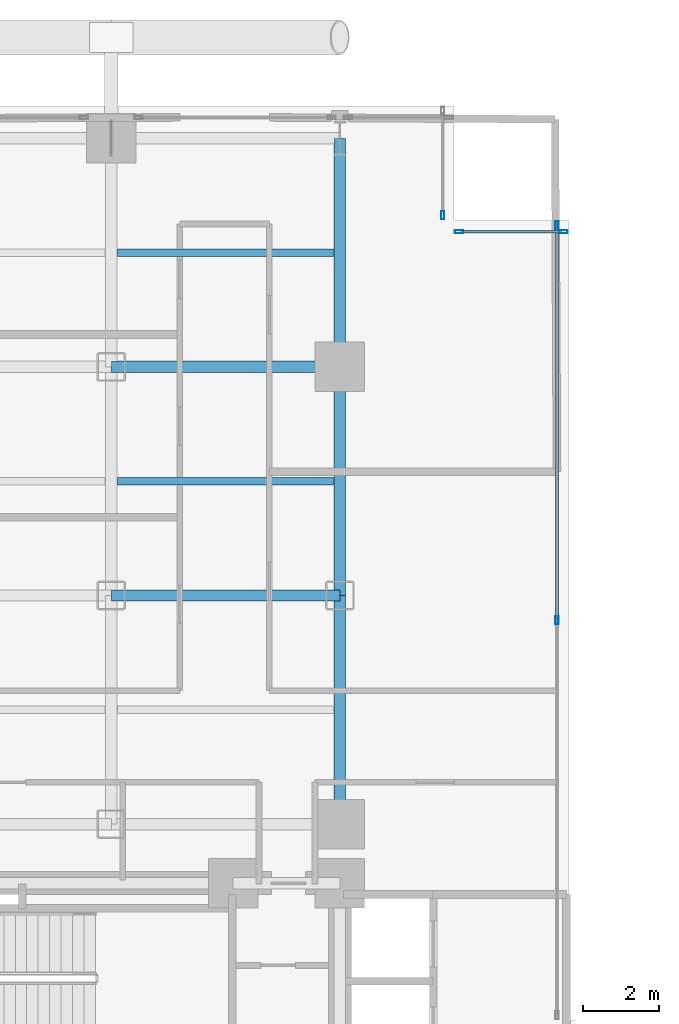
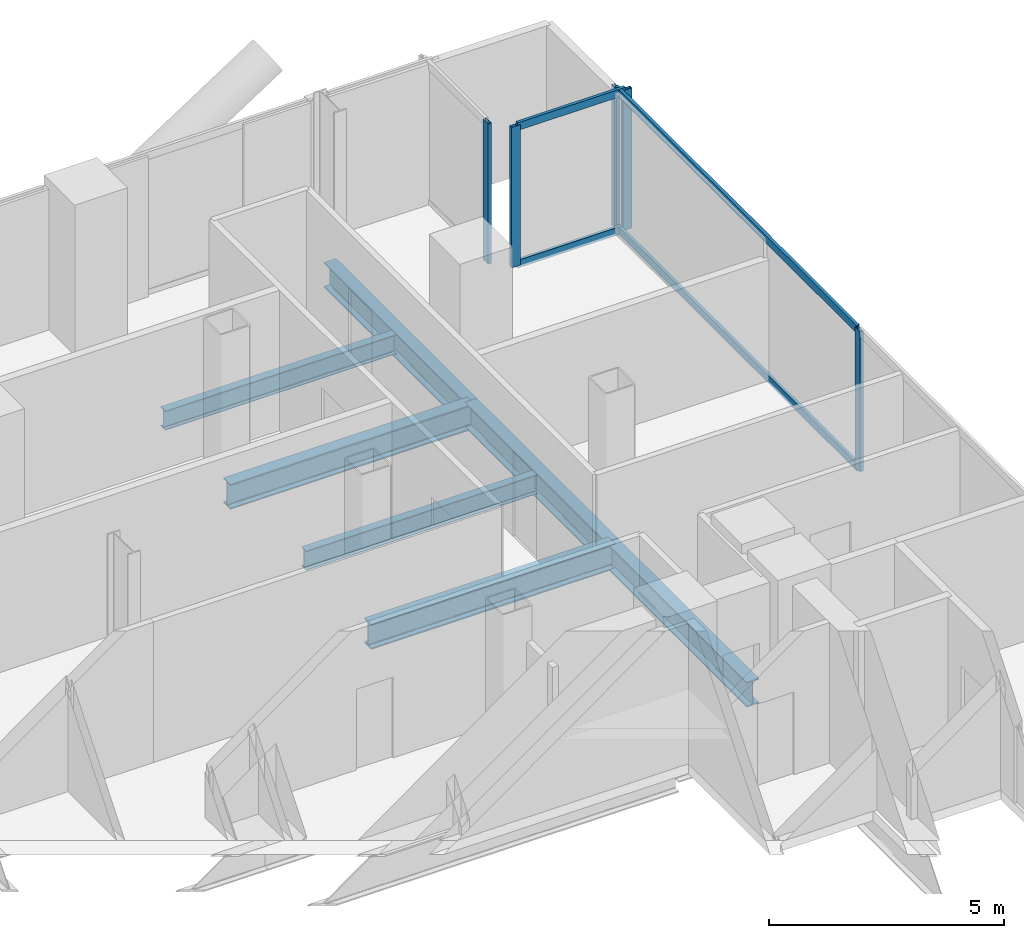
# One storey, part 15 of 25: 9 members, 7 beams, 3 elements without a shape of their own.
"""IFC4 building model written with IfcOpenShell, lengths in metres."""

from ifc_helpers import new_model, si_unit, direction, frame, origin, origin_2d, place, context, subcontext, project, spatial, hollow_rectangle, i_section, extrude, material, layer, layer_set, material_profile, profile_set, type_object, element, aggregate, save


model = new_model("IFC4")

# Units and contexts
model_context = context("Model", 3, precision=1e-05, world=origin(), true_north=direction((0.0, 1.0)))
body_context = subcontext(model_context, "Body", "Model", "MODEL_VIEW")
ifc_project = project(units=[si_unit("LENGTHUNIT", "METRE"), si_unit("AREAUNIT", "SQUARE_METRE"), si_unit("VOLUMEUNIT", "CUBIC_METRE"), si_unit("PLANEANGLEUNIT", "RADIAN"), si_unit("MASSUNIT", "GRAM", prefix="KILO"), si_unit("THERMODYNAMICTEMPERATUREUNIT", "KELVIN"), si_unit("POWERUNIT", "WATT")], contexts=[model_context])

# Site, building, storey
site_placement = place(None, origin())
site = spatial("IfcSite", under=ifc_project, at=site_placement, CompositionType="ELEMENT")
building_placement = place(site_placement, origin())
building = spatial("IfcBuilding", under=site, at=building_placement, Name="Svarakhadi Broadcast Tower", CompositionType="ELEMENT")
storey_placement = place(building_placement, frame((0.0, 0.0, 67.5)))
storey = spatial("IfcBuildingStorey", under=building, at=storey_placement, Name="L15", CompositionType="ELEMENT", Elevation=67.5)

# Beams
ifc_material_1 = material(Name="Steel S355J2 (IS 2062 E350C)", Category="steel")
ifc_material_profile_1 = material_profile(ifc_material_1, i_section(OverallWidth=0.199951171875, OverallDepth=0.5, WebThickness=0.01025390625, FlangeThickness=0.01611328125, FilletRadius=0.02099609375, at=origin_2d()), Name="NPB 500x200x91")
ifc_profile_set_1 = profile_set([ifc_material_profile_1], Name="Steel S355J2 (IS 2062 E350C)")
beam_type_1 = type_object("IfcBeamType", Name="Beam_NPB500", PredefinedType="BEAM", material=ifc_profile_set_1)
for number, where, z_axis, x_axis, name in (
    (1, (12.159912109375, 38.14990234375, -0.5), (1.0, 0.0, 0.0), (0.0, 1.0, 0.0), "L15 Secondary Composite Beam SB017"),
    (2, (12.159912109375, 44.14990234375, -0.5), (1.0, 0.0, 0.0), (0.0, 1.0, 0.0), "L15 Secondary Composite Beam SB018"),
):
    element("IfcBeam", number, at=place(storey_placement, frame(where, z_axis=z_axis, x_axis=x_axis)), inside=storey, type_object=beam_type_1, Name=name, PredefinedType="BEAM", context=body_context, shape_type="SweptSolid", body=[
        extrude(i_section(OverallWidth=0.199951171875, OverallDepth=0.5, WebThickness=0.01025390625, FlangeThickness=0.01611328125, FilletRadius=0.02099609375, at=origin_2d()), origin(), (0.0, 0.0, 1.0), 5.68017578125),
    ])

# Curtain wall, member
ifc_material_2 = material(Name="Anodised Bronze Aluminium AA 6063-T6", Category="aluminium")
ifc_layer = layer(ifc_material_2, 0.219970703125)
ifc_layer_set = layer_set([ifc_layer], Name="Anodised Bronze Aluminium AA 6063-T6")
curtain_wall_type = type_object("IfcCurtainWallType", Name="CW_Sys_02", PredefinedType="NOTDEFINED", material=ifc_layer_set)
curtain_wall_1_placement = place(storey_placement, origin())
curtain_wall_1 = element("IfcCurtainWall", 3, at=curtain_wall_1_placement, inside=storey, type_object=curtain_wall_type, Name="L15 Unitised Facade Curtain Wall 07", PredefinedType="NOTDEFINED")
ifc_material_profile_2 = material_profile(ifc_material_2, hollow_rectangle(XDim=0.0849609375, YDim=0.219970703125, WallThickness=0.006103515625, at=origin_2d()), Name="ALU MULLION 220x85x6")
ifc_profile_set_2 = profile_set([ifc_material_profile_2], Name="Anodised Bronze Aluminium AA 6063-T6")
member_type_1 = type_object("IfcMemberType", Name="CW_Sys_02_Mul", PredefinedType="MULLION", material=ifc_profile_set_2)
member_1_placement = place(storey_placement, frame((20.699951171875, 45.132568359375, 0.0), z_axis=(0.0, 0.0, 1.0), x_axis=(1.0, 0.0, 0.0)))
member_1 = element("IfcMember", 4, at=member_1_placement, type_object=member_type_1, Name="CW-02 mullion 2", PredefinedType="MULLION", context=body_context, shape_type="SweptSolid", body=[
    extrude(hollow_rectangle(XDim=0.0849609375, YDim=0.219970703125, WallThickness=0.006103515625, at=origin_2d()), origin(), (0.0, 0.0, 1.0), 3.64990234375),
])
aggregate(curtain_wall_1, [member_1])

# Curtain wall, members
curtain_wall_2_placement = place(storey_placement, origin())
curtain_wall_2 = element("IfcCurtainWall", 5, at=curtain_wall_2_placement, inside=storey, type_object=curtain_wall_type, Name="L15 Unitised Facade Curtain Wall 08", PredefinedType="NOTDEFINED")
member_2_placement = place(storey_placement, frame((21.132568359375, 44.699951171875, 0.0), z_axis=(0.0, 0.0, 1.0), x_axis=(0.0, 1.0, 0.0)))
member_2 = element("IfcMember", 6, at=member_2_placement, type_object=member_type_1, Name="CW-02 mullion 1", PredefinedType="MULLION", context=body_context, shape_type="SweptSolid", body=[
    extrude(hollow_rectangle(XDim=0.0849609375, YDim=0.219970703125, WallThickness=0.006103515625, at=origin_2d()), origin(), (0.0, 0.0, 1.0), 3.64990234375),
])
member_3_placement = place(storey_placement, frame((23.867431640625, 44.699951171875, 0.0), z_axis=(0.0, 0.0, 1.0), x_axis=(0.0, 1.0, 0.0)))
member_3 = element("IfcMember", 7, at=member_3_placement, type_object=member_type_1, Name="CW-02 mullion 2", PredefinedType="MULLION", context=body_context, shape_type="SweptSolid", body=[
    extrude(hollow_rectangle(XDim=0.0849609375, YDim=0.219970703125, WallThickness=0.006103515625, at=origin_2d()), origin(), (0.0, 0.0, 1.0), 3.64990234375),
])

curtain_wall_3_placement = place(storey_placement, origin())
curtain_wall_3 = element("IfcCurtainWall", 8, at=curtain_wall_3_placement, inside=storey, type_object=curtain_wall_type, Name="L15 Unitised Facade Curtain Wall 09", PredefinedType="NOTDEFINED")
member_4_placement = place(storey_placement, frame((23.699951171875, 44.867431640625, 0.0), z_axis=(0.0, 0.0, 1.0), x_axis=(1.0, 0.0, 0.0)))
member_4 = element("IfcMember", 9, at=member_4_placement, type_object=member_type_1, Name="CW-02 mullion 1", PredefinedType="MULLION", context=body_context, shape_type="SweptSolid", body=[
    extrude(hollow_rectangle(XDim=0.0849609375, YDim=0.219970703125, WallThickness=0.006103515625, at=origin_2d()), origin(), (0.0, 0.0, 1.0), 3.64990234375),
])
member_5_placement = place(storey_placement, frame((23.699951171875, 34.5, 0.0), z_axis=(0.0, 0.0, 1.0), x_axis=(1.0, 0.0, 0.0)))
member_5 = element("IfcMember", 10, at=member_5_placement, type_object=member_type_1, Name="CW-02 mullion 2", PredefinedType="MULLION", context=body_context, shape_type="SweptSolid", body=[
    extrude(hollow_rectangle(XDim=0.0849609375, YDim=0.219970703125, WallThickness=0.006103515625, at=origin_2d()), origin(), (0.0, 0.0, 1.0), 3.64990234375),
])

# Member
ifc_material_profile_3 = material_profile(ifc_material_2, hollow_rectangle(XDim=0.074951171875, YDim=0.199951171875, WallThickness=0.0048828125, at=origin_2d()), Name="ALU TRANSOM 200x75x5")
ifc_profile_set_3 = profile_set([ifc_material_profile_3], Name="Anodised Bronze Aluminium AA 6063-T6")
member_type_2 = type_object("IfcMemberType", Name="CW_Sys_02_Trn", PredefinedType="USERDEFINED", material=ifc_profile_set_3)
member_6_placement = place(storey_placement, frame((21.175048828125, 44.699951171875, 0.03759765625), z_axis=(1.0, 0.0, 0.0), x_axis=(0.0, 1.0, 0.0)))
member_6 = element("IfcMember", 11, at=member_6_placement, type_object=member_type_2, Name="CW-02 transom 1.1", ObjectType="TRANSOM", PredefinedType="USERDEFINED", context=body_context, shape_type="SweptSolid", body=[
    extrude(hollow_rectangle(XDim=0.074951171875, YDim=0.199951171875, WallThickness=0.0048828125, at=origin_2d()), origin(), (0.0, 0.0, 1.0), 2.64990234375),
])

member_7_placement = place(storey_placement, frame((21.175048828125, 44.699951171875, 3.612548828125), z_axis=(1.0, 0.0, 0.0), x_axis=(0.0, 1.0, 0.0)))
member_7 = element("IfcMember", 12, at=member_7_placement, type_object=member_type_2, Name="CW-02 transom 1.2", ObjectType="TRANSOM", PredefinedType="USERDEFINED", context=body_context, shape_type="SweptSolid", body=[
    extrude(hollow_rectangle(XDim=0.074951171875, YDim=0.199951171875, WallThickness=0.0048828125, at=origin_2d()), origin(), (0.0, 0.0, 1.0), 2.64990234375),
])

aggregate(curtain_wall_2, [member_2, member_3, member_6, member_7])

member_8_placement = place(storey_placement, frame((23.699951171875, 44.824951171875, 0.03759765625), z_axis=(0.0, -1.0, 0.0), x_axis=(1.0, 0.0, 0.0)))
member_8 = element("IfcMember", 13, at=member_8_placement, type_object=member_type_2, Name="CW-02 transom 1.1", ObjectType="TRANSOM", PredefinedType="USERDEFINED", context=body_context, shape_type="SweptSolid", body=[
    extrude(hollow_rectangle(XDim=0.074951171875, YDim=0.199951171875, WallThickness=0.0048828125, at=origin_2d()), origin(), (0.0, 0.0, 1.0), 10.282470703125),
])

member_9_placement = place(storey_placement, frame((23.699951171875, 44.824951171875, 3.612548828125), z_axis=(0.0, -1.0, 0.0), x_axis=(1.0, 0.0, 0.0)))
member_9 = element("IfcMember", 14, at=member_9_placement, type_object=member_type_2, Name="CW-02 transom 1.2", ObjectType="TRANSOM", PredefinedType="USERDEFINED", context=body_context, shape_type="SweptSolid", body=[
    extrude(hollow_rectangle(XDim=0.074951171875, YDim=0.199951171875, WallThickness=0.0048828125, at=origin_2d()), origin(), (0.0, 0.0, 1.0), 10.282470703125),
])

aggregate(curtain_wall_3, [member_4, member_5, member_8, member_9])

# Beams
ifc_material_profile_4 = material_profile(ifc_material_1, i_section(OverallWidth=0.300048828125, OverallDepth=0.64990234375, WebThickness=0.01611328125, FlangeThickness=0.031005859375, FilletRadius=0.027099609375, at=origin_2d()), Name="WPB 650x300x225")
ifc_profile_set_4 = profile_set([ifc_material_profile_4], Name="Steel S355J2 (IS 2062 E350C)")
beam_type_2 = type_object("IfcBeamType", Name="Girder_WPB650", PredefinedType="USERDEFINED", material=ifc_profile_set_4)
for number, where, z_axis, x_axis, name in (
    (15, (12.0, 35.14990234375, -0.574951171875), (1.0, 0.0, 0.0), (0.0, 1.0, 0.0), "L15 Primary E-W Girder G039"),
    (16, (12.0, 41.14990234375, -0.574951171875), (1.0, 0.0, 0.0), (0.0, 1.0, 0.0), "L15 Primary E-W Girder G042"),
    (17, (18.0, 29.14990234375, -0.574951171875), (0.0, 1.0, 0.0), (-1.0, 0.0, 0.0), "L15 Primary N-S Girder G068"),
    (18, (18.0, 35.14990234375, -0.574951171875), (0.0, 1.0, 0.0), (-1.0, 0.0, 0.0), "L15 Primary N-S Girder G069"),
    (19, (18.0, 41.14990234375, -0.574951171875), (0.0, 1.0, 0.0), (-1.0, 0.0, 0.0), "L15 Primary N-S Girder G070"),
):
    element("IfcBeam", number, at=place(storey_placement, frame(where, z_axis=z_axis, x_axis=x_axis)), inside=storey, type_object=beam_type_2, Name=name, ObjectType="GIRDER", PredefinedType="USERDEFINED", context=body_context, shape_type="SweptSolid", body=[
        extrude(i_section(OverallWidth=0.300048828125, OverallDepth=0.64990234375, WebThickness=0.01611328125, FlangeThickness=0.031005859375, FilletRadius=0.027099609375, at=origin_2d()), origin(), (0.0, 0.0, 1.0), 6.0),
    ])

save(model, "model.ifc")
